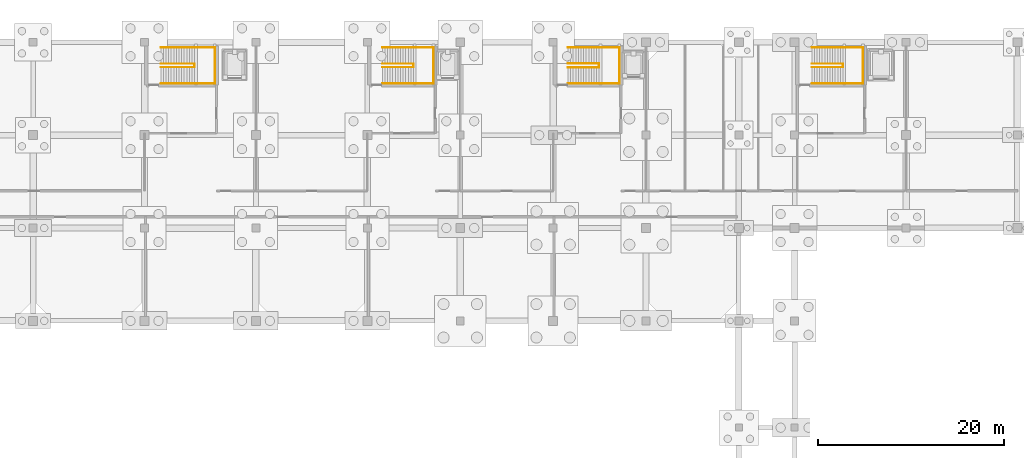
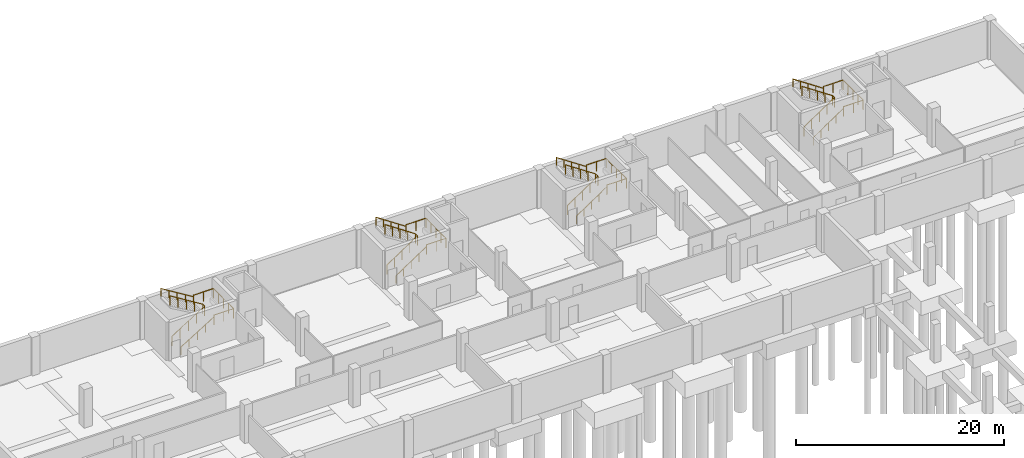
# One storey, part 18 of 19: 16 railings.
"""IFC4 building model written with IfcOpenShell, lengths in metres."""

from ifc_helpers import new_model, si_unit, direction, frame, origin, origin_2d, place, context, subcontext, project, spatial, circle, extrude, material, type_object, element, save


model = new_model("IFC4")

# Units and contexts
model_context = context("Model", 3, precision=1e-05, world=origin(), true_north=direction((0.0, 1.0)))
body_context = subcontext(model_context, "Body", "Model", "MODEL_VIEW")
ifc_project = project(units=[si_unit("LENGTHUNIT", "METRE"), si_unit("AREAUNIT", "SQUARE_METRE"), si_unit("VOLUMEUNIT", "CUBIC_METRE"), si_unit("PLANEANGLEUNIT", "RADIAN"), si_unit("MASSUNIT", "GRAM", prefix="KILO")], contexts=[model_context])

# Site, building, storey
site_placement = place(None, origin())
site = spatial("IfcSite", under=ifc_project, at=site_placement, CompositionType="ELEMENT")
building_placement = place(site_placement, origin())
building = spatial("IfcBuilding", under=site, at=building_placement, Name="Mersad Railyard Sports Hall", CompositionType="ELEMENT")
storey_placement = place(building_placement, frame((0.0, 0.0, -4.5)))
storey = spatial("IfcBuildingStorey", under=building, at=storey_placement, Name="B1", CompositionType="ELEMENT", Elevation=-4.5)

# Railings
ifc_material = material(Name="Steel S355", Category="steel")
railing_type_1 = type_object("IfcRailingType", Name="ARC-RL-GR01", PredefinedType="GUARDRAIL", material=ifc_material)
railing_1_placement = place(storey_placement, frame((68.75, 112.31005859375, 0.0)))
element("IfcRailing", 1, at=railing_1_placement, inside=storey, type_object=railing_type_1, Name="Interior guard GR01-0003", PredefinedType="GUARDRAIL", context=body_context, shape_type="SweptSolid", body=[
    extrude(circle(Radius=0.02392578125, at=origin_2d()), frame((0.0, 0.0, 1.09619140625), z_axis=(0.850606632239, 0.0, 0.525802583857), x_axis=(0.0, 1.0, 0.0)), (0.0, 0.0, 1.0), 4.279052734375),
    extrude(circle(Radius=0.02392578125, at=origin_2d()), frame((3.639892578125, 0.0, 3.34619140625), z_axis=(0.0, 1.0, 0.0), x_axis=(-1.0, 0.0, 0.0)), (0.0, 0.0, 1.0), 0.3798828125),
    extrude(circle(Radius=0.02392578125, at=origin_2d()), frame((3.639892578125, 0.3798828125, 3.34619140625), z_axis=(-0.850606632239, 0.0, 0.525802583857), x_axis=(0.0, -1.0, 0.0)), (0.0, 0.0, 1.0), 4.279052734375),
    extrude(circle(Radius=0.02099609375, at=origin_2d()), origin(), (0.0, 0.0, 1.0), 1.072021484375),
    extrude(circle(Radius=0.02099609375, at=origin_2d()), frame((0.909912109375, 0.0, 0.5625)), (0.0, 0.0, 1.0), 1.072021484375),
    extrude(circle(Radius=0.02099609375, at=origin_2d()), frame((1.81982421875, 0.0, 1.125)), (0.0, 0.0, 1.0), 1.072021484375),
    extrude(circle(Radius=0.02099609375, at=origin_2d()), frame((2.72998046875, 0.0, 1.6875)), (0.0, 0.0, 1.0), 1.072021484375),
    extrude(circle(Radius=0.02099609375, at=origin_2d()), frame((3.639892578125, 0.0, 2.25)), (0.0, 0.0, 1.0), 1.072021484375),
    extrude(circle(Radius=0.02099609375, at=origin_2d()), frame((3.639892578125, 0.3798828125, 2.25)), (0.0, 0.0, 1.0), 1.072021484375),
    extrude(circle(Radius=0.02099609375, at=origin_2d()), frame((2.72998046875, 0.3798828125, 2.8125)), (0.0, 0.0, 1.0), 1.072021484375),
    extrude(circle(Radius=0.02099609375, at=origin_2d()), frame((1.81982421875, 0.3798828125, 3.375)), (0.0, 0.0, 1.0), 1.072021484375),
    extrude(circle(Radius=0.02099609375, at=origin_2d()), frame((0.909912109375, 0.3798828125, 3.9375)), (0.0, 0.0, 1.0), 1.072021484375),
    extrude(circle(Radius=0.02099609375, at=origin_2d()), frame((0.0, 0.3798828125, 4.5)), (0.0, 0.0, 1.0), 1.072021484375),
])
railing_2_placement = place(storey_placement, frame((72.389892578125, 110.56005859375, 2.25)))
element("IfcRailing", 2, at=railing_2_placement, inside=storey, type_object=railing_type_1, Name="Interior guard GR01-0004", PredefinedType="GUARDRAIL", context=body_context, shape_type="SweptSolid", body=[
    extrude(circle(Radius=0.02392578125, at=origin_2d()), frame((0.0, 0.0, 1.09619140625), z_axis=(1.0, 0.0, 0.0), x_axis=(0.0, 1.0, 0.0)), (0.0, 0.0, 1.0), 2.2001953125),
    extrude(circle(Radius=0.02392578125, at=origin_2d()), frame((2.2001953125, 0.0, 1.09619140625), z_axis=(0.0, 1.0, 0.0), x_axis=(-1.0, 0.0, 0.0)), (0.0, 0.0, 1.0), 3.8798828125),
    extrude(circle(Radius=0.02392578125, at=origin_2d()), frame((2.2001953125, 3.8798828125, 1.09619140625), z_axis=(-1.0, 0.0, 0.0), x_axis=(0.0, -1.0, 0.0)), (0.0, 0.0, 1.0), 2.2001953125),
    extrude(circle(Radius=0.02099609375, at=origin_2d()), origin(), (0.0, 0.0, 1.0), 1.072021484375),
    extrude(circle(Radius=0.02099609375, at=origin_2d()), frame((1.10009765625, 0.0, 0.0)), (0.0, 0.0, 1.0), 1.072021484375),
    extrude(circle(Radius=0.02099609375, at=origin_2d()), frame((2.2001953125, 0.0, 0.0)), (0.0, 0.0, 1.0), 1.072021484375),
    extrude(circle(Radius=0.02099609375, at=origin_2d()), frame((2.2001953125, 0.969970703125, 0.0)), (0.0, 0.0, 1.0), 1.072021484375),
    extrude(circle(Radius=0.02099609375, at=origin_2d()), frame((2.2001953125, 1.93994140625, 0.0)), (0.0, 0.0, 1.0), 1.072021484375),
    extrude(circle(Radius=0.02099609375, at=origin_2d()), frame((2.2001953125, 2.909912109375, 0.0)), (0.0, 0.0, 1.0), 1.072021484375),
    extrude(circle(Radius=0.02099609375, at=origin_2d()), frame((2.2001953125, 3.8798828125, 0.0)), (0.0, 0.0, 1.0), 1.072021484375),
    extrude(circle(Radius=0.02099609375, at=origin_2d()), frame((1.10009765625, 3.8798828125, 0.0)), (0.0, 0.0, 1.0), 1.072021484375),
    extrude(circle(Radius=0.02099609375, at=origin_2d()), frame((0.0, 3.8798828125, 0.0)), (0.0, 0.0, 1.0), 1.072021484375),
])
railing_3_placement = place(storey_placement, frame((92.60009765625, 112.31005859375, 0.0)))
element("IfcRailing", 3, at=railing_3_placement, inside=storey, type_object=railing_type_1, Name="Interior guard GR01-0033", PredefinedType="GUARDRAIL", context=body_context, shape_type="SweptSolid", body=[
    extrude(circle(Radius=0.02392578125, at=origin_2d()), frame((0.0, 0.0, 1.09619140625), z_axis=(0.830896709279, 0.0, 0.556426687452), x_axis=(0.0, 1.0, 0.0)), (0.0, 0.0, 1.0), 4.043701171875),
    extrude(circle(Radius=0.02392578125, at=origin_2d()), frame((3.35986328125, 0.0, 3.34619140625), z_axis=(0.0, 1.0, 0.0), x_axis=(-1.0, 0.0, 0.0)), (0.0, 0.0, 1.0), 0.3798828125),
    extrude(circle(Radius=0.02392578125, at=origin_2d()), frame((3.35986328125, 0.3798828125, 3.34619140625), z_axis=(-0.830896709279, 0.0, 0.556426687452), x_axis=(0.0, -1.0, 0.0)), (0.0, 0.0, 1.0), 4.043701171875),
    extrude(circle(Radius=0.02099609375, at=origin_2d()), origin(), (0.0, 0.0, 1.0), 1.072021484375),
    extrude(circle(Radius=0.02099609375, at=origin_2d()), frame((0.83984375, 0.0, 0.5625)), (0.0, 0.0, 1.0), 1.072021484375),
    extrude(circle(Radius=0.02099609375, at=origin_2d()), frame((1.679931640625, 0.0, 1.125)), (0.0, 0.0, 1.0), 1.072021484375),
    extrude(circle(Radius=0.02099609375, at=origin_2d()), frame((2.52001953125, 0.0, 1.6875)), (0.0, 0.0, 1.0), 1.072021484375),
    extrude(circle(Radius=0.02099609375, at=origin_2d()), frame((3.35986328125, 0.0, 2.25)), (0.0, 0.0, 1.0), 1.072021484375),
    extrude(circle(Radius=0.02099609375, at=origin_2d()), frame((3.35986328125, 0.3798828125, 2.25)), (0.0, 0.0, 1.0), 1.072021484375),
    extrude(circle(Radius=0.02099609375, at=origin_2d()), frame((2.52001953125, 0.3798828125, 2.8125)), (0.0, 0.0, 1.0), 1.072021484375),
    extrude(circle(Radius=0.02099609375, at=origin_2d()), frame((1.679931640625, 0.3798828125, 3.375)), (0.0, 0.0, 1.0), 1.072021484375),
    extrude(circle(Radius=0.02099609375, at=origin_2d()), frame((0.83984375, 0.3798828125, 3.9375)), (0.0, 0.0, 1.0), 1.072021484375),
    extrude(circle(Radius=0.02099609375, at=origin_2d()), frame((0.0, 0.3798828125, 4.5)), (0.0, 0.0, 1.0), 1.072021484375),
])
railing_4_placement = place(storey_placement, frame((95.9599609375, 110.56005859375, 2.25)))
element("IfcRailing", 4, at=railing_4_placement, inside=storey, type_object=railing_type_1, Name="Interior guard GR01-0034", PredefinedType="GUARDRAIL", context=body_context, shape_type="SweptSolid", body=[
    extrude(circle(Radius=0.02392578125, at=origin_2d()), frame((0.0, 0.0, 1.09619140625), z_axis=(1.0, 0.0, 0.0), x_axis=(0.0, 1.0, 0.0)), (0.0, 0.0, 1.0), 2.179931640625),
    extrude(circle(Radius=0.02392578125, at=origin_2d()), frame((2.179931640625, 0.0, 1.09619140625), z_axis=(0.0, 1.0, 0.0), x_axis=(-1.0, 0.0, 0.0)), (0.0, 0.0, 1.0), 3.8798828125),
    extrude(circle(Radius=0.02392578125, at=origin_2d()), frame((2.179931640625, 3.8798828125, 1.09619140625), z_axis=(-1.0, 0.0, 0.0), x_axis=(0.0, -1.0, 0.0)), (0.0, 0.0, 1.0), 2.179931640625),
    extrude(circle(Radius=0.02099609375, at=origin_2d()), origin(), (0.0, 0.0, 1.0), 1.072021484375),
    extrude(circle(Radius=0.02099609375, at=origin_2d()), frame((1.08984375, 0.0, 0.0)), (0.0, 0.0, 1.0), 1.072021484375),
    extrude(circle(Radius=0.02099609375, at=origin_2d()), frame((2.179931640625, 0.0, 0.0)), (0.0, 0.0, 1.0), 1.072021484375),
    extrude(circle(Radius=0.02099609375, at=origin_2d()), frame((2.179931640625, 0.969970703125, 0.0)), (0.0, 0.0, 1.0), 1.072021484375),
    extrude(circle(Radius=0.02099609375, at=origin_2d()), frame((2.179931640625, 1.93994140625, 0.0)), (0.0, 0.0, 1.0), 1.072021484375),
    extrude(circle(Radius=0.02099609375, at=origin_2d()), frame((2.179931640625, 2.909912109375, 0.0)), (0.0, 0.0, 1.0), 1.072021484375),
    extrude(circle(Radius=0.02099609375, at=origin_2d()), frame((2.179931640625, 3.8798828125, 0.0)), (0.0, 0.0, 1.0), 1.072021484375),
    extrude(circle(Radius=0.02099609375, at=origin_2d()), frame((1.08984375, 3.8798828125, 0.0)), (0.0, 0.0, 1.0), 1.072021484375),
    extrude(circle(Radius=0.02099609375, at=origin_2d()), frame((0.0, 3.8798828125, 0.0)), (0.0, 0.0, 1.0), 1.072021484375),
])
railing_5_placement = place(storey_placement, frame((112.60009765625, 112.2900390625, 0.0)))
element("IfcRailing", 5, at=railing_5_placement, inside=storey, type_object=railing_type_1, Name="Interior guard GR01-0063", PredefinedType="GUARDRAIL", context=body_context, shape_type="SweptSolid", body=[
    extrude(circle(Radius=0.02392578125, at=origin_2d()), frame((0.0, 0.0, 1.09619140625), z_axis=(0.830896709279, 0.0, 0.556426687452), x_axis=(0.0, 1.0, 0.0)), (0.0, 0.0, 1.0), 4.043701171875),
    extrude(circle(Radius=0.02392578125, at=origin_2d()), frame((3.35986328125, 0.0, 3.34619140625), z_axis=(0.0, 1.0, 0.0), x_axis=(-1.0, 0.0, 0.0)), (0.0, 0.0, 1.0), 0.419921875),
    extrude(circle(Radius=0.02392578125, at=origin_2d()), frame((3.35986328125, 0.419921875, 3.34619140625), z_axis=(-0.830896709279, 0.0, 0.556426687452), x_axis=(0.0, -1.0, 0.0)), (0.0, 0.0, 1.0), 4.043701171875),
    extrude(circle(Radius=0.02099609375, at=origin_2d()), origin(), (0.0, 0.0, 1.0), 1.072021484375),
    extrude(circle(Radius=0.02099609375, at=origin_2d()), frame((0.83984375, 0.0, 0.5625)), (0.0, 0.0, 1.0), 1.072021484375),
    extrude(circle(Radius=0.02099609375, at=origin_2d()), frame((1.679931640625, 0.0, 1.125)), (0.0, 0.0, 1.0), 1.072021484375),
    extrude(circle(Radius=0.02099609375, at=origin_2d()), frame((2.52001953125, 0.0, 1.6875)), (0.0, 0.0, 1.0), 1.072021484375),
    extrude(circle(Radius=0.02099609375, at=origin_2d()), frame((3.35986328125, 0.0, 2.25)), (0.0, 0.0, 1.0), 1.072021484375),
    extrude(circle(Radius=0.02099609375, at=origin_2d()), frame((3.35986328125, 0.419921875, 2.25)), (0.0, 0.0, 1.0), 1.072021484375),
    extrude(circle(Radius=0.02099609375, at=origin_2d()), frame((2.52001953125, 0.419921875, 2.8125)), (0.0, 0.0, 1.0), 1.072021484375),
    extrude(circle(Radius=0.02099609375, at=origin_2d()), frame((1.679931640625, 0.419921875, 3.375)), (0.0, 0.0, 1.0), 1.072021484375),
    extrude(circle(Radius=0.02099609375, at=origin_2d()), frame((0.83984375, 0.419921875, 3.9375)), (0.0, 0.0, 1.0), 1.072021484375),
    extrude(circle(Radius=0.02099609375, at=origin_2d()), frame((0.0, 0.419921875, 4.5)), (0.0, 0.0, 1.0), 1.072021484375),
])
railing_6_placement = place(storey_placement, frame((115.9599609375, 110.56005859375, 2.25)))
element("IfcRailing", 6, at=railing_6_placement, inside=storey, type_object=railing_type_1, Name="Interior guard GR01-0064", PredefinedType="GUARDRAIL", context=body_context, shape_type="SweptSolid", body=[
    extrude(circle(Radius=0.02392578125, at=origin_2d()), frame((0.0, 0.0, 1.09619140625), z_axis=(1.0, 0.0, 0.0), x_axis=(0.0, 1.0, 0.0)), (0.0, 0.0, 1.0), 2.179931640625),
    extrude(circle(Radius=0.02392578125, at=origin_2d()), frame((2.179931640625, 0.0, 1.09619140625), z_axis=(0.0, 1.0, 0.0), x_axis=(-1.0, 0.0, 0.0)), (0.0, 0.0, 1.0), 3.8798828125),
    extrude(circle(Radius=0.02392578125, at=origin_2d()), frame((2.179931640625, 3.8798828125, 1.09619140625), z_axis=(-1.0, 0.0, 0.0), x_axis=(0.0, -1.0, 0.0)), (0.0, 0.0, 1.0), 2.179931640625),
    extrude(circle(Radius=0.02099609375, at=origin_2d()), origin(), (0.0, 0.0, 1.0), 1.072021484375),
    extrude(circle(Radius=0.02099609375, at=origin_2d()), frame((1.08984375, 0.0, 0.0)), (0.0, 0.0, 1.0), 1.072021484375),
    extrude(circle(Radius=0.02099609375, at=origin_2d()), frame((2.179931640625, 0.0, 0.0)), (0.0, 0.0, 1.0), 1.072021484375),
    extrude(circle(Radius=0.02099609375, at=origin_2d()), frame((2.179931640625, 0.969970703125, 0.0)), (0.0, 0.0, 1.0), 1.072021484375),
    extrude(circle(Radius=0.02099609375, at=origin_2d()), frame((2.179931640625, 1.93994140625, 0.0)), (0.0, 0.0, 1.0), 1.072021484375),
    extrude(circle(Radius=0.02099609375, at=origin_2d()), frame((2.179931640625, 2.909912109375, 0.0)), (0.0, 0.0, 1.0), 1.072021484375),
    extrude(circle(Radius=0.02099609375, at=origin_2d()), frame((2.179931640625, 3.8798828125, 0.0)), (0.0, 0.0, 1.0), 1.072021484375),
    extrude(circle(Radius=0.02099609375, at=origin_2d()), frame((1.08984375, 3.8798828125, 0.0)), (0.0, 0.0, 1.0), 1.072021484375),
    extrude(circle(Radius=0.02099609375, at=origin_2d()), frame((0.0, 3.8798828125, 0.0)), (0.0, 0.0, 1.0), 1.072021484375),
])
railing_7_placement = place(storey_placement, frame((138.85009765625, 112.31005859375, 0.0)))
element("IfcRailing", 7, at=railing_7_placement, inside=storey, type_object=railing_type_1, Name="Interior guard GR01-0093", PredefinedType="GUARDRAIL", context=body_context, shape_type="SweptSolid", body=[
    extrude(circle(Radius=0.02392578125, at=origin_2d()), frame((0.0, 0.0, 1.09619140625), z_axis=(0.830896709279, 0.0, 0.556426687452), x_axis=(0.0, 1.0, 0.0)), (0.0, 0.0, 1.0), 4.043701171875),
    extrude(circle(Radius=0.02392578125, at=origin_2d()), frame((3.35986328125, 0.0, 3.34619140625), z_axis=(0.0, 1.0, 0.0), x_axis=(-1.0, 0.0, 0.0)), (0.0, 0.0, 1.0), 0.3798828125),
    extrude(circle(Radius=0.02392578125, at=origin_2d()), frame((3.35986328125, 0.3798828125, 3.34619140625), z_axis=(-0.830896709279, 0.0, 0.556426687452), x_axis=(0.0, -1.0, 0.0)), (0.0, 0.0, 1.0), 4.043701171875),
    extrude(circle(Radius=0.02099609375, at=origin_2d()), origin(), (0.0, 0.0, 1.0), 1.072021484375),
    extrude(circle(Radius=0.02099609375, at=origin_2d()), frame((0.83984375, 0.0, 0.5625)), (0.0, 0.0, 1.0), 1.072021484375),
    extrude(circle(Radius=0.02099609375, at=origin_2d()), frame((1.679931640625, 0.0, 1.125)), (0.0, 0.0, 1.0), 1.072021484375),
    extrude(circle(Radius=0.02099609375, at=origin_2d()), frame((2.52001953125, 0.0, 1.6875)), (0.0, 0.0, 1.0), 1.072021484375),
    extrude(circle(Radius=0.02099609375, at=origin_2d()), frame((3.35986328125, 0.0, 2.25)), (0.0, 0.0, 1.0), 1.072021484375),
    extrude(circle(Radius=0.02099609375, at=origin_2d()), frame((3.35986328125, 0.3798828125, 2.25)), (0.0, 0.0, 1.0), 1.072021484375),
    extrude(circle(Radius=0.02099609375, at=origin_2d()), frame((2.52001953125, 0.3798828125, 2.8125)), (0.0, 0.0, 1.0), 1.072021484375),
    extrude(circle(Radius=0.02099609375, at=origin_2d()), frame((1.679931640625, 0.3798828125, 3.375)), (0.0, 0.0, 1.0), 1.072021484375),
    extrude(circle(Radius=0.02099609375, at=origin_2d()), frame((0.83984375, 0.3798828125, 3.9375)), (0.0, 0.0, 1.0), 1.072021484375),
    extrude(circle(Radius=0.02099609375, at=origin_2d()), frame((0.0, 0.3798828125, 4.5)), (0.0, 0.0, 1.0), 1.072021484375),
])
railing_8_placement = place(storey_placement, frame((142.2099609375, 110.56005859375, 2.25)))
element("IfcRailing", 8, at=railing_8_placement, inside=storey, type_object=railing_type_1, Name="Interior guard GR01-0094", PredefinedType="GUARDRAIL", context=body_context, shape_type="SweptSolid", body=[
    extrude(circle(Radius=0.02392578125, at=origin_2d()), frame((0.0, 0.0, 1.09619140625), z_axis=(1.0, 0.0, 0.0), x_axis=(0.0, 1.0, 0.0)), (0.0, 0.0, 1.0), 2.179931640625),
    extrude(circle(Radius=0.02392578125, at=origin_2d()), frame((2.179931640625, 0.0, 1.09619140625), z_axis=(0.0, 1.0, 0.0), x_axis=(-1.0, 0.0, 0.0)), (0.0, 0.0, 1.0), 3.8798828125),
    extrude(circle(Radius=0.02392578125, at=origin_2d()), frame((2.179931640625, 3.8798828125, 1.09619140625), z_axis=(-1.0, 0.0, 0.0), x_axis=(0.0, -1.0, 0.0)), (0.0, 0.0, 1.0), 2.179931640625),
    extrude(circle(Radius=0.02099609375, at=origin_2d()), origin(), (0.0, 0.0, 1.0), 1.072021484375),
    extrude(circle(Radius=0.02099609375, at=origin_2d()), frame((1.08984375, 0.0, 0.0)), (0.0, 0.0, 1.0), 1.072021484375),
    extrude(circle(Radius=0.02099609375, at=origin_2d()), frame((2.179931640625, 0.0, 0.0)), (0.0, 0.0, 1.0), 1.072021484375),
    extrude(circle(Radius=0.02099609375, at=origin_2d()), frame((2.179931640625, 0.969970703125, 0.0)), (0.0, 0.0, 1.0), 1.072021484375),
    extrude(circle(Radius=0.02099609375, at=origin_2d()), frame((2.179931640625, 1.93994140625, 0.0)), (0.0, 0.0, 1.0), 1.072021484375),
    extrude(circle(Radius=0.02099609375, at=origin_2d()), frame((2.179931640625, 2.909912109375, 0.0)), (0.0, 0.0, 1.0), 1.072021484375),
    extrude(circle(Radius=0.02099609375, at=origin_2d()), frame((2.179931640625, 3.8798828125, 0.0)), (0.0, 0.0, 1.0), 1.072021484375),
    extrude(circle(Radius=0.02099609375, at=origin_2d()), frame((1.08984375, 3.8798828125, 0.0)), (0.0, 0.0, 1.0), 1.072021484375),
    extrude(circle(Radius=0.02099609375, at=origin_2d()), frame((0.0, 3.8798828125, 0.0)), (0.0, 0.0, 1.0), 1.072021484375),
])
railing_type_2 = type_object("IfcRailingType", Name="ARC-RL-HR01", PredefinedType="HANDRAIL", material=ifc_material)
railing_9_placement = place(storey_placement, frame((68.75, 110.56005859375, 0.0)))
element("IfcRailing", 9, at=railing_9_placement, inside=storey, type_object=railing_type_2, Name="Interior handrail HR01-0001", PredefinedType="HANDRAIL", context=body_context, shape_type="SweptSolid", body=[
    extrude(circle(Radius=0.02392578125, at=origin_2d()), frame((0.0, 0.0, 0.89599609375), z_axis=(0.850606632239, 0.0, 0.525802583857), x_axis=(0.0, 1.0, 0.0)), (0.0, 0.0, 1.0), 4.279052734375),
    extrude(circle(Radius=0.02099609375, at=origin_2d()), origin(), (0.0, 0.0, 1.0), 0.871826171875),
    extrude(circle(Radius=0.02099609375, at=origin_2d()), frame((0.909912109375, 0.0, 0.5625)), (0.0, 0.0, 1.0), 0.871826171875),
    extrude(circle(Radius=0.02099609375, at=origin_2d()), frame((1.81982421875, 0.0, 1.125)), (0.0, 0.0, 1.0), 0.871826171875),
    extrude(circle(Radius=0.02099609375, at=origin_2d()), frame((2.72998046875, 0.0, 1.6875)), (0.0, 0.0, 1.0), 0.871826171875),
    extrude(circle(Radius=0.02099609375, at=origin_2d()), frame((3.639892578125, 0.0, 2.25)), (0.0, 0.0, 1.0), 0.871826171875),
])
railing_10_placement = place(storey_placement, frame((72.389892578125, 114.43994140625, 2.25)))
element("IfcRailing", 10, at=railing_10_placement, inside=storey, type_object=railing_type_2, Name="Interior handrail HR01-0002", PredefinedType="HANDRAIL", context=body_context, shape_type="SweptSolid", body=[
    extrude(circle(Radius=0.02392578125, at=origin_2d()), frame((0.0, 0.0, 0.89599609375), z_axis=(-0.850606632239, 0.0, 0.525802583857), x_axis=(0.0, -1.0, 0.0)), (0.0, 0.0, 1.0), 4.279052734375),
    extrude(circle(Radius=0.02099609375, at=origin_2d()), origin(), (0.0, 0.0, 1.0), 0.871826171875),
    extrude(circle(Radius=0.02099609375, at=origin_2d()), frame((-0.909912109375, 0.0, 0.5625)), (0.0, 0.0, 1.0), 0.871826171875),
    extrude(circle(Radius=0.02099609375, at=origin_2d()), frame((-1.81982421875, 0.0, 1.125)), (0.0, 0.0, 1.0), 0.871826171875),
    extrude(circle(Radius=0.02099609375, at=origin_2d()), frame((-2.72998046875, 0.0, 1.6875)), (0.0, 0.0, 1.0), 0.871826171875),
    extrude(circle(Radius=0.02099609375, at=origin_2d()), frame((-3.639892578125, 0.0, 2.25)), (0.0, 0.0, 1.0), 0.871826171875),
])
railing_11_placement = place(storey_placement, frame((92.60009765625, 110.56005859375, 0.0)))
element("IfcRailing", 11, at=railing_11_placement, inside=storey, type_object=railing_type_2, Name="Interior handrail HR01-0031", PredefinedType="HANDRAIL", context=body_context, shape_type="SweptSolid", body=[
    extrude(circle(Radius=0.02392578125, at=origin_2d()), frame((0.0, 0.0, 0.89599609375), z_axis=(0.830896709279, 0.0, 0.556426687452), x_axis=(0.0, 1.0, 0.0)), (0.0, 0.0, 1.0), 4.043701171875),
    extrude(circle(Radius=0.02099609375, at=origin_2d()), origin(), (0.0, 0.0, 1.0), 0.871826171875),
    extrude(circle(Radius=0.02099609375, at=origin_2d()), frame((0.83984375, 0.0, 0.5625)), (0.0, 0.0, 1.0), 0.871826171875),
    extrude(circle(Radius=0.02099609375, at=origin_2d()), frame((1.679931640625, 0.0, 1.125)), (0.0, 0.0, 1.0), 0.871826171875),
    extrude(circle(Radius=0.02099609375, at=origin_2d()), frame((2.52001953125, 0.0, 1.6875)), (0.0, 0.0, 1.0), 0.871826171875),
    extrude(circle(Radius=0.02099609375, at=origin_2d()), frame((3.35986328125, 0.0, 2.25)), (0.0, 0.0, 1.0), 0.871826171875),
])
railing_12_placement = place(storey_placement, frame((95.9599609375, 114.43994140625, 2.25)))
element("IfcRailing", 12, at=railing_12_placement, inside=storey, type_object=railing_type_2, Name="Interior handrail HR01-0032", PredefinedType="HANDRAIL", context=body_context, shape_type="SweptSolid", body=[
    extrude(circle(Radius=0.02392578125, at=origin_2d()), frame((0.0, 0.0, 0.89599609375), z_axis=(-0.830896709279, 0.0, 0.556426687452), x_axis=(0.0, -1.0, 0.0)), (0.0, 0.0, 1.0), 4.043701171875),
    extrude(circle(Radius=0.02099609375, at=origin_2d()), origin(), (0.0, 0.0, 1.0), 0.871826171875),
    extrude(circle(Radius=0.02099609375, at=origin_2d()), frame((-0.83984375, 0.0, 0.5625)), (0.0, 0.0, 1.0), 0.871826171875),
    extrude(circle(Radius=0.02099609375, at=origin_2d()), frame((-1.679931640625, 0.0, 1.125)), (0.0, 0.0, 1.0), 0.871826171875),
    extrude(circle(Radius=0.02099609375, at=origin_2d()), frame((-2.52001953125, 0.0, 1.6875)), (0.0, 0.0, 1.0), 0.871826171875),
    extrude(circle(Radius=0.02099609375, at=origin_2d()), frame((-3.35986328125, 0.0, 2.25)), (0.0, 0.0, 1.0), 0.871826171875),
])
railing_13_placement = place(storey_placement, frame((112.60009765625, 110.56005859375, 0.0)))
element("IfcRailing", 13, at=railing_13_placement, inside=storey, type_object=railing_type_2, Name="Interior handrail HR01-0061", PredefinedType="HANDRAIL", context=body_context, shape_type="SweptSolid", body=[
    extrude(circle(Radius=0.02392578125, at=origin_2d()), frame((0.0, 0.0, 0.89599609375), z_axis=(0.830896709279, 0.0, 0.556426687452), x_axis=(0.0, 1.0, 0.0)), (0.0, 0.0, 1.0), 4.043701171875),
    extrude(circle(Radius=0.02099609375, at=origin_2d()), origin(), (0.0, 0.0, 1.0), 0.871826171875),
    extrude(circle(Radius=0.02099609375, at=origin_2d()), frame((0.83984375, 0.0, 0.5625)), (0.0, 0.0, 1.0), 0.871826171875),
    extrude(circle(Radius=0.02099609375, at=origin_2d()), frame((1.679931640625, 0.0, 1.125)), (0.0, 0.0, 1.0), 0.871826171875),
    extrude(circle(Radius=0.02099609375, at=origin_2d()), frame((2.52001953125, 0.0, 1.6875)), (0.0, 0.0, 1.0), 0.871826171875),
    extrude(circle(Radius=0.02099609375, at=origin_2d()), frame((3.35986328125, 0.0, 2.25)), (0.0, 0.0, 1.0), 0.871826171875),
])
railing_14_placement = place(storey_placement, frame((115.9599609375, 114.43994140625, 2.25)))
element("IfcRailing", 14, at=railing_14_placement, inside=storey, type_object=railing_type_2, Name="Interior handrail HR01-0062", PredefinedType="HANDRAIL", context=body_context, shape_type="SweptSolid", body=[
    extrude(circle(Radius=0.02392578125, at=origin_2d()), frame((0.0, 0.0, 0.89599609375), z_axis=(-0.830896709279, 0.0, 0.556426687452), x_axis=(0.0, -1.0, 0.0)), (0.0, 0.0, 1.0), 4.043701171875),
    extrude(circle(Radius=0.02099609375, at=origin_2d()), origin(), (0.0, 0.0, 1.0), 0.871826171875),
    extrude(circle(Radius=0.02099609375, at=origin_2d()), frame((-0.83984375, 0.0, 0.5625)), (0.0, 0.0, 1.0), 0.871826171875),
    extrude(circle(Radius=0.02099609375, at=origin_2d()), frame((-1.679931640625, 0.0, 1.125)), (0.0, 0.0, 1.0), 0.871826171875),
    extrude(circle(Radius=0.02099609375, at=origin_2d()), frame((-2.52001953125, 0.0, 1.6875)), (0.0, 0.0, 1.0), 0.871826171875),
    extrude(circle(Radius=0.02099609375, at=origin_2d()), frame((-3.35986328125, 0.0, 2.25)), (0.0, 0.0, 1.0), 0.871826171875),
])
railing_15_placement = place(storey_placement, frame((138.85009765625, 110.56005859375, 0.0)))
element("IfcRailing", 15, at=railing_15_placement, inside=storey, type_object=railing_type_2, Name="Interior handrail HR01-0091", PredefinedType="HANDRAIL", context=body_context, shape_type="SweptSolid", body=[
    extrude(circle(Radius=0.02392578125, at=origin_2d()), frame((0.0, 0.0, 0.89599609375), z_axis=(0.830896709279, 0.0, 0.556426687452), x_axis=(0.0, 1.0, 0.0)), (0.0, 0.0, 1.0), 4.043701171875),
    extrude(circle(Radius=0.02099609375, at=origin_2d()), origin(), (0.0, 0.0, 1.0), 0.871826171875),
    extrude(circle(Radius=0.02099609375, at=origin_2d()), frame((0.83984375, 0.0, 0.5625)), (0.0, 0.0, 1.0), 0.871826171875),
    extrude(circle(Radius=0.02099609375, at=origin_2d()), frame((1.679931640625, 0.0, 1.125)), (0.0, 0.0, 1.0), 0.871826171875),
    extrude(circle(Radius=0.02099609375, at=origin_2d()), frame((2.52001953125, 0.0, 1.6875)), (0.0, 0.0, 1.0), 0.871826171875),
    extrude(circle(Radius=0.02099609375, at=origin_2d()), frame((3.35986328125, 0.0, 2.25)), (0.0, 0.0, 1.0), 0.871826171875),
])
railing_16_placement = place(storey_placement, frame((142.2099609375, 114.43994140625, 2.25)))
element("IfcRailing", 16, at=railing_16_placement, inside=storey, type_object=railing_type_2, Name="Interior handrail HR01-0092", PredefinedType="HANDRAIL", context=body_context, shape_type="SweptSolid", body=[
    extrude(circle(Radius=0.02392578125, at=origin_2d()), frame((0.0, 0.0, 0.89599609375), z_axis=(-0.830896709279, 0.0, 0.556426687452), x_axis=(0.0, -1.0, 0.0)), (0.0, 0.0, 1.0), 4.043701171875),
    extrude(circle(Radius=0.02099609375, at=origin_2d()), origin(), (0.0, 0.0, 1.0), 0.871826171875),
    extrude(circle(Radius=0.02099609375, at=origin_2d()), frame((-0.83984375, 0.0, 0.5625)), (0.0, 0.0, 1.0), 0.871826171875),
    extrude(circle(Radius=0.02099609375, at=origin_2d()), frame((-1.679931640625, 0.0, 1.125)), (0.0, 0.0, 1.0), 0.871826171875),
    extrude(circle(Radius=0.02099609375, at=origin_2d()), frame((-2.52001953125, 0.0, 1.6875)), (0.0, 0.0, 1.0), 0.871826171875),
    extrude(circle(Radius=0.02099609375, at=origin_2d()), frame((-3.35986328125, 0.0, 2.25)), (0.0, 0.0, 1.0), 0.871826171875),
])

save(model, "model.ifc")
